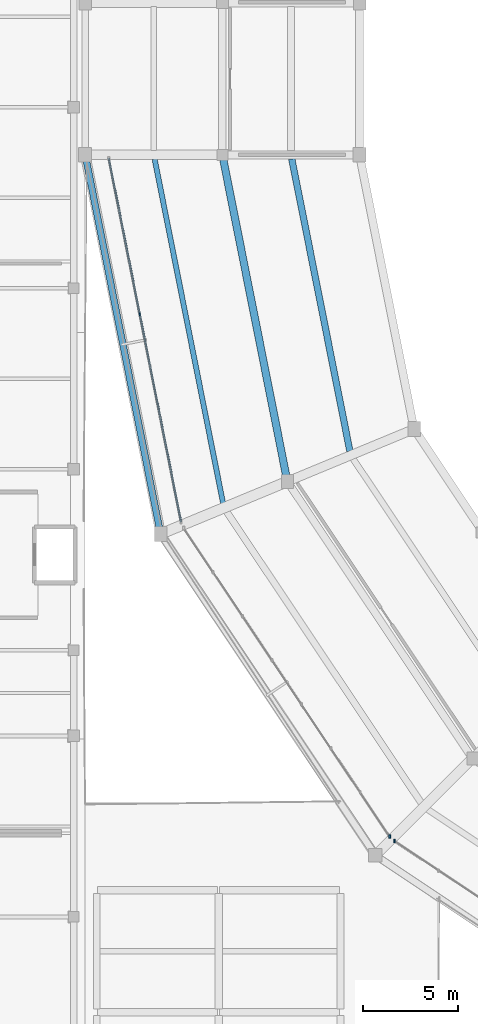
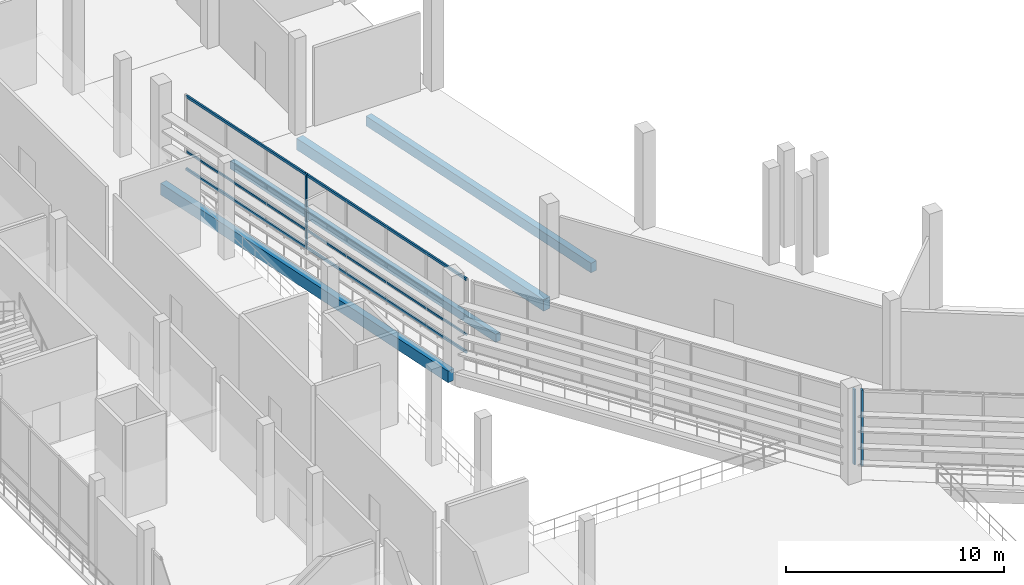
# One storey, part 15 of 111: 6 members, 4 beams, 3 elements without a shape of their own.
"""IFC4 building model written with IfcOpenShell, lengths in metres."""

from ifc_helpers import new_model, si_unit, direction, frame, origin, origin_2d, place, context, subcontext, project, spatial, rectangle, extrude, material, material_profile, profile_set, type_object, element, aggregate, save


model = new_model("IFC4")

# Units and contexts
model_context = context("Model", 3, precision=1e-05, world=origin(), true_north=direction((0.0, 1.0)))
body_context = subcontext(model_context, "Body", "Model", "MODEL_VIEW")
ifc_project = project(units=[si_unit("LENGTHUNIT", "METRE"), si_unit("AREAUNIT", "SQUARE_METRE"), si_unit("VOLUMEUNIT", "CUBIC_METRE"), si_unit("PLANEANGLEUNIT", "RADIAN"), si_unit("MASSUNIT", "GRAM", prefix="KILO")], contexts=[model_context])

# Site, building, storey
site_placement = place(None, origin())
site = spatial("IfcSite", under=ifc_project, at=site_placement, CompositionType="ELEMENT")
building_placement = place(site_placement, origin())
building = spatial("IfcBuilding", under=site, at=building_placement, Name="Candeia Ridge Stadium", CompositionType="ELEMENT")
storey_placement = place(building_placement, frame((0.0, 0.0, 16.199951171875)))
storey = spatial("IfcBuildingStorey", under=building, at=storey_placement, Name="L03", CompositionType="ELEMENT", Elevation=16.199951171875)

# Curtain wall, member
ifc_material_1 = material(Name="Aluminium Anodized Warm Bronze", Category="aluminium")
curtain_wall_type = type_object("IfcCurtainWallType", Name="Concourse Recessed Unitised Curtain Wall", PredefinedType="NOTDEFINED", material=ifc_material_1)
curtain_wall_1_placement = place(storey_placement, origin())
curtain_wall_1 = element("IfcCurtainWall", 1, at=curtain_wall_1_placement, inside=storey, type_object=curtain_wall_type, Name="Unitised curtain wall CW-BWL-L03-15", PredefinedType="NOTDEFINED")
ifc_material_profile_1 = material_profile(ifc_material_1, rectangle(XDim=0.090087890625, YDim=0.179931640625, at=origin_2d()), Name="CWM-90x180", Category="aluminium")
ifc_profile_set_1 = profile_set([ifc_material_profile_1], Name="Aluminium Anodized Warm Bronze")
member_type_1 = type_object("IfcMemberType", Name="Curtain Wall Primary Mullion 90x180", PredefinedType="MULLION", material=ifc_profile_set_1)
member_1_placement = place(storey_placement, frame((34.97900390625, 35.228515625, 0.0), z_axis=(0.0, 0.0, 1.0), x_axis=(1.0, 0.0, 0.0)))
member_1 = element("IfcMember", 2, at=member_1_placement, type_object=member_type_1, Name="Curtain wall mullion CW-BWL-L03-15-M7", PredefinedType="MULLION", context=body_context, shape_type="SweptSolid", body=[
    extrude(rectangle(XDim=0.090087890625, YDim=0.179931640625, at=origin_2d()), origin(), (0.0, 0.0, 1.0), 4.205078125),
])
aggregate(curtain_wall_1, [member_1])

curtain_wall_2_placement = place(storey_placement, origin())
curtain_wall_2 = element("IfcCurtainWall", 3, at=curtain_wall_2_placement, inside=storey, type_object=curtain_wall_type, Name="Unitised curtain wall CW-BWL-L03-16", PredefinedType="NOTDEFINED")
member_2_placement = place(storey_placement, frame((35.228515625, 34.97900390625, 0.0), z_axis=(0.0, 0.0, 1.0), x_axis=(1.0, 0.0, 0.0)))
member_2 = element("IfcMember", 4, at=member_2_placement, type_object=member_type_1, Name="Curtain wall mullion CW-BWL-L03-16-M0", PredefinedType="MULLION", context=body_context, shape_type="SweptSolid", body=[
    extrude(rectangle(XDim=0.090087890625, YDim=0.179931640625, at=origin_2d()), origin(), (0.0, 0.0, 1.0), 4.2451171875),
])
aggregate(curtain_wall_2, [member_2])

# Curtain wall, members
curtain_wall_3_placement = place(storey_placement, origin())
curtain_wall_3 = element("IfcCurtainWall", 5, at=curtain_wall_3_placement, inside=storey, type_object=curtain_wall_type, Name="Unitised curtain wall CW-BWL-L03-14", PredefinedType="NOTDEFINED")
ifc_material_profile_2 = material_profile(ifc_material_1, rectangle(XDim=0.074951171875, YDim=0.14990234375, at=origin_2d()), Name="CWM-75x150", Category="aluminium")
ifc_profile_set_2 = profile_set([ifc_material_profile_2], Name="Aluminium Anodized Warm Bronze")
member_type_2 = type_object("IfcMemberType", Name="Curtain Wall Secondary Mullion 75x150", PredefinedType="MULLION", material=ifc_profile_set_2)
member_3_placement = place(storey_placement, frame((21.8623046875, 62.643310546875, 0.0), z_axis=(0.0, 0.0, 1.0), x_axis=(1.0, 0.0, 0.0)))
member_3 = element("IfcMember", 6, at=member_3_placement, type_object=member_type_2, Name="Curtain wall mullion CW-BWL-L03-14-M3", PredefinedType="MULLION", context=body_context, shape_type="SweptSolid", body=[
    extrude(rectangle(XDim=0.074951171875, YDim=0.14990234375, at=origin_2d()), origin(), (0.0, 0.0, 1.0), 4.205078125),
])
ifc_material_profile_3 = material_profile(ifc_material_1, rectangle(XDim=0.074951171875, YDim=0.110107421875, at=origin_2d()), Name="CWT-75x110", Category="aluminium")
ifc_profile_set_3 = profile_set([ifc_material_profile_3], Name="Aluminium Anodized Warm Bronze")
member_type_3 = type_object("IfcMemberType", Name="Curtain Wall Secondary Transom 75x110", PredefinedType="USERDEFINED", material=ifc_profile_set_3)
member_4_placement = place(storey_placement, frame((20.235107421875, 70.823486328125, 1.05126953125), z_axis=(0.195085896803, -0.980786160623, 0.0), x_axis=(0.980786160623, 0.195085896803, 0.0)))
member_4 = element("IfcMember", 7, at=member_4_placement, type_object=member_type_3, Name="Curtain wall transom CW-BWL-L03-14-T1", ObjectType="TRANSOM", PredefinedType="USERDEFINED", context=body_context, shape_type="SweptSolid", body=[
    extrude(rectangle(XDim=0.074951171875, YDim=0.110107421875, at=origin_2d()), origin(), (0.0, 0.0, 1.0), 19.46142578125),
])
ifc_material_profile_4 = material_profile(ifc_material_1, rectangle(XDim=0.090087890625, YDim=0.139892578125, at=origin_2d()), Name="CWT-90x140", Category="aluminium")
ifc_profile_set_4 = profile_set([ifc_material_profile_4], Name="Aluminium Anodized Warm Bronze")
member_type_4 = type_object("IfcMemberType", Name="Curtain Wall Transom 90x140", PredefinedType="USERDEFINED", material=ifc_profile_set_4)
member_5_placement = place(storey_placement, frame((20.235107421875, 70.823486328125, 0.070068359375), z_axis=(0.195085896803, -0.980786160623, 0.0), x_axis=(0.980786160623, 0.195085896803, 0.0)))
member_5 = element("IfcMember", 8, at=member_5_placement, type_object=member_type_4, Name="Curtain wall transom CW-BWL-L03-14-T0", ObjectType="TRANSOM", PredefinedType="USERDEFINED", context=body_context, shape_type="SweptSolid", body=[
    extrude(rectangle(XDim=0.090087890625, YDim=0.139892578125, at=origin_2d()), origin(), (0.0, 0.0, 1.0), 19.46142578125),
])
member_6_placement = place(storey_placement, frame((20.235107421875, 70.823486328125, 4.135009765625), z_axis=(0.195085896803, -0.980786160623, 0.0), x_axis=(0.980786160623, 0.195085896803, 0.0)))
member_6 = element("IfcMember", 9, at=member_6_placement, type_object=member_type_4, Name="Curtain wall transom CW-BWL-L03-14-T2", ObjectType="TRANSOM", PredefinedType="USERDEFINED", context=body_context, shape_type="SweptSolid", body=[
    extrude(rectangle(XDim=0.090087890625, YDim=0.139892578125, at=origin_2d()), origin(), (0.0, 0.0, 1.0), 19.46142578125),
])
aggregate(curtain_wall_3, [member_3, member_5, member_4, member_6])

# Beams
ifc_material_2 = material(Name="Concrete C40/50", Category="concrete")
ifc_material_profile_5 = material_profile(ifc_material_2, rectangle(XDim=0.27001953125, YDim=0.43994140625, at=origin_2d()), Name="RC270x440", Category="concrete")
ifc_profile_set_5 = profile_set([ifc_material_profile_5], Name="Concrete C40/50")
beam_type_1 = type_object("IfcBeamType", Name="Floor Joist RC270x440", PredefinedType="JOIST", material=ifc_profile_set_5)
beam_1_placement = place(storey_placement, frame((22.643310546875, 70.7822265625, -0.469970703125), z_axis=(0.195092537954, -0.980784839623, 0.0), x_axis=(0.980784839623, 0.195092537954, 0.0)))
element("IfcBeam", 10, at=beam_1_placement, inside=storey, type_object=beam_type_1, Name="Concourse secondary joist BM-L03-0622", PredefinedType="JOIST", context=body_context, shape_type="SweptSolid", body=[
    extrude(rectangle(XDim=0.27001953125, YDim=0.43994140625, at=origin_2d()), origin(), (0.0, 0.0, 1.0), 18.440673828125),
])
ifc_material_profile_6 = material_profile(ifc_material_2, rectangle(XDim=0.340087890625, YDim=0.5400390625, at=origin_2d()), Name="RC340x540", Category="concrete")
ifc_profile_set_6 = profile_set([ifc_material_profile_6], Name="Concrete C40/50")
beam_type_2 = type_object("IfcBeamType", Name="Floor Joist RC340x540", PredefinedType="JOIST", material=ifc_profile_set_6)
beam_2_placement = place(storey_placement, frame((29.84326171875, 70.7822265625, -0.52001953125), z_axis=(0.195091809076, -0.980784984607, 0.0), x_axis=(0.980784984607, 0.195091809076, 0.0)))
element("IfcBeam", 11, at=beam_2_placement, inside=storey, type_object=beam_type_2, Name="Concourse secondary joist BM-L03-0621", PredefinedType="JOIST", context=body_context, shape_type="SweptSolid", body=[
    extrude(rectangle(XDim=0.340087890625, YDim=0.5400390625, at=origin_2d()), origin(), (0.0, 0.0, 1.0), 15.63134765625),
])
ifc_material_profile_7 = material_profile(ifc_material_2, rectangle(XDim=0.389892578125, YDim=0.639892578125, at=origin_2d()), Name="RC390x640", Category="concrete")
ifc_profile_set_7 = profile_set([ifc_material_profile_7], Name="Concrete C40/50")
beam_type_3 = type_object("IfcBeamType", Name="Frame Girder RC390x640", PredefinedType="BEAM", material=ifc_profile_set_7)
beam_3_placement = place(storey_placement, frame((26.231201171875, 70.843017578125, -0.570068359375), z_axis=(0.195098234154, -0.980783706548, 0.0), x_axis=(0.980783706548, 0.195098234154, 0.0)))
element("IfcBeam", 12, at=beam_3_placement, inside=storey, type_object=beam_type_3, Name="Concourse spine girder BM-L03-0619", PredefinedType="BEAM", context=body_context, shape_type="SweptSolid", body=[
    extrude(rectangle(XDim=0.389892578125, YDim=0.639892578125, at=origin_2d()), origin(), (0.0, 0.0, 1.0), 17.16015625),
])
ifc_material_profile_8 = material_profile(ifc_material_2, rectangle(XDim=0.35009765625, YDim=0.64990234375, at=origin_2d()), Name="RC350x650", Category="concrete")
ifc_profile_set_8 = profile_set([ifc_material_profile_8], Name="Concrete C40/50")
beam_type_4 = type_object("IfcBeamType", Name="Spandrel Beam RC350x650", PredefinedType="SPANDREL", material=ifc_profile_set_8)
beam_4_placement = place(storey_placement, frame((19.03125, 70.843017578125, -0.574951171875), z_axis=(0.195086242929, -0.980786091775, 0.0), x_axis=(0.980786091775, 0.195086242929, 0.0)))
element("IfcBeam", 13, at=beam_4_placement, inside=storey, type_object=beam_type_4, Name="Bowl perimeter spandrel BM-L03-0620", PredefinedType="SPANDREL", context=body_context, shape_type="SweptSolid", body=[
    extrude(rectangle(XDim=0.35009765625, YDim=0.64990234375, at=origin_2d()), origin(), (0.0, 0.0, 1.0), 19.969482421875),
])

save(model, "model.ifc")
